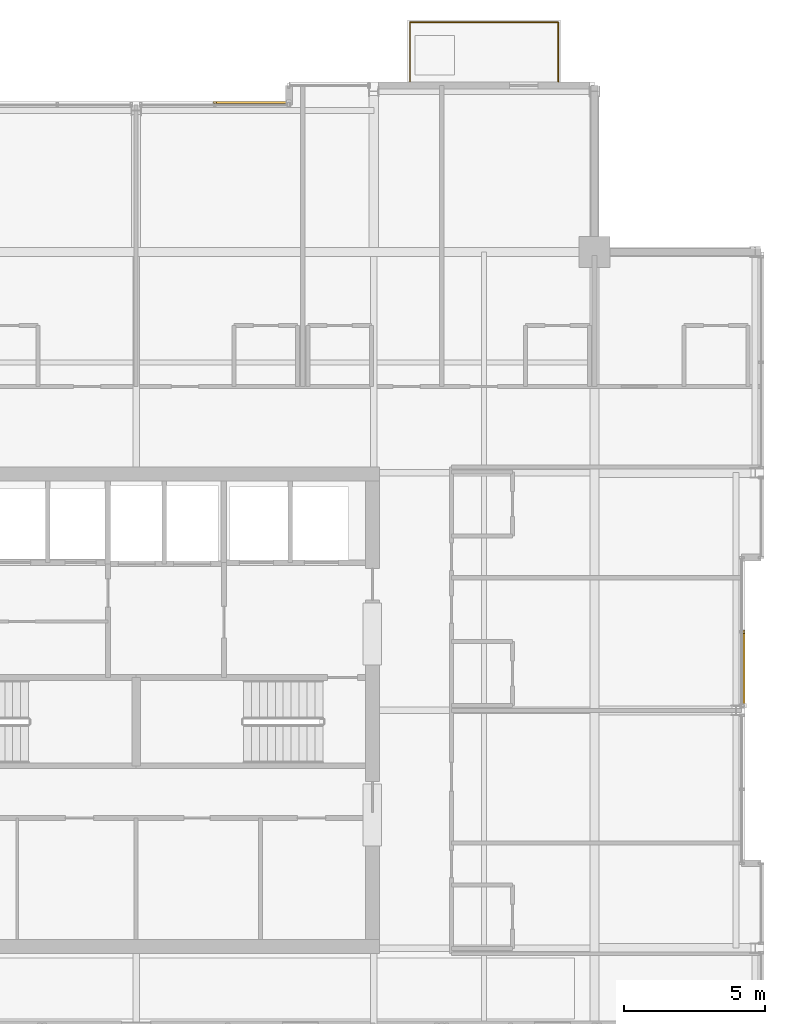
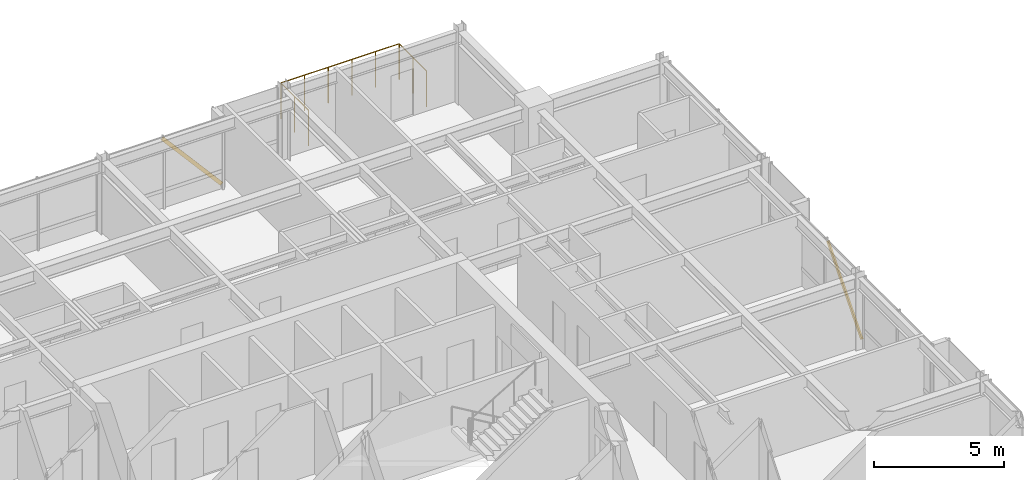
# One storey, part 34 of 34: 2 shading devices, 1 railing.
"""IFC4 building model written with IfcOpenShell, lengths in metres."""

from ifc_helpers import new_model, si_unit, direction, frame, origin, origin_2d, place, context, subcontext, project, spatial, hollow_rectangle, circle, extrude, material, material_profile, profile_set, type_object, element, save


model = new_model("IFC4")

# Units and contexts
model_context = context("Model", 3, precision=1e-05, world=origin(), true_north=direction((0.0, 1.0)))
body_context = subcontext(model_context, "Body", "Model", "MODEL_VIEW")
ifc_project = project(units=[si_unit("LENGTHUNIT", "METRE"), si_unit("AREAUNIT", "SQUARE_METRE"), si_unit("VOLUMEUNIT", "CUBIC_METRE"), si_unit("PLANEANGLEUNIT", "RADIAN"), si_unit("MASSUNIT", "GRAM", prefix="KILO")], contexts=[model_context])

# Site, building, storey
site_placement = place(None, origin())
site = spatial("IfcSite", under=ifc_project, at=site_placement, CompositionType="ELEMENT")
building_placement = place(site_placement, origin())
building = spatial("IfcBuilding", under=site, at=building_placement, Name="Drelvath Grand Hotel", CompositionType="ELEMENT")
storey_placement = place(building_placement, frame((0.0, 0.0, 272.300048828125)))
storey = spatial("IfcBuildingStorey", under=building, at=storey_placement, Name="L71", CompositionType="ELEMENT", Elevation=272.300048828125)

# Shading devices
ifc_material_1 = material(Name="Platinum-Mist Anodised Aluminium", Category="aluminium")
ifc_material_profile = material_profile(ifc_material_1, hollow_rectangle(XDim=0.06494140625, YDim=0.159912109375, WallThickness=0.00390625, at=origin_2d()), Name="HSS160X65X4")
ifc_profile_set = profile_set([ifc_material_profile], Name="Platinum-Mist Anodised Aluminium")
shading_device_type = type_object("IfcShadingDeviceType", Name="Diagonal Solar Fin Platinum Anodised HSS160X65X4", PredefinedType="USERDEFINED", material=ifc_profile_set)
shading_device_1_placement = place(storey_placement, frame((21.47998046875, 27.169921875, 0.179931640625), z_axis=(0.0, 0.653354613196, 0.757052012358), x_axis=(-1.0, 0.0, 0.0)))
element("IfcShadingDevice", 1, at=shading_device_1_placement, inside=storey, type_object=shading_device_type, Name="L71 Diagonal Anodised Fin CW05-L71-EM2", ObjectType="FIN", PredefinedType="USERDEFINED", context=body_context, shape_type="SweptSolid", body=[
    extrude(hollow_rectangle(XDim=0.06494140625, YDim=0.159912109375, WallThickness=0.00390625, at=origin_2d()), origin(), (0.0, 0.0, 1.0), 4.00244140625),
])
shading_device_2_placement = place(storey_placement, frame((5.39990234375, 48.47998046875, 0.179931640625), z_axis=(-0.65331965119, 0.0, 0.757082184026), x_axis=(0.0, -1.0, 0.0)))
element("IfcShadingDevice", 2, at=shading_device_2_placement, inside=storey, type_object=shading_device_type, Name="L71 Diagonal Anodised Fin CW05-L71-NM2", ObjectType="FIN", PredefinedType="USERDEFINED", context=body_context, shape_type="SweptSolid", body=[
    extrude(hollow_rectangle(XDim=0.06494140625, YDim=0.159912109375, WallThickness=0.00390625, at=origin_2d()), origin(), (0.0, 0.0, 1.0), 4.002197265625),
])

# Railing
ifc_material_2 = material(Name="Anodised Aluminium and Laminated Glass Balustrade", Category="aluminium")
railing_type = type_object("IfcRailingType", Name="Raised Planter Edge Balustrade 1700", PredefinedType="BALUSTRADE", material=ifc_material_2)
railing_placement = place(storey_placement, frame((9.679931640625, 49.219970703125, 0.0)))
element("IfcRailing", 3, at=railing_placement, inside=storey, type_object=railing_type, Name="L71 Tree Balcony Perimeter Balustrade 1", PredefinedType="BALUSTRADE", context=body_context, shape_type="SweptSolid", body=[
    extrude(circle(Radius=0.02392578125, at=origin_2d()), frame((0.0, 0.0, 1.67578125), z_axis=(0.0, 1.0, 0.0), x_axis=(-1.0, 0.0, 0.0)), (0.0, 0.0, 1.0), 2.10009765625),
    extrude(circle(Radius=0.02392578125, at=origin_2d()), frame((0.0, 2.10009765625, 1.67578125), z_axis=(1.0, 0.0, 0.0), x_axis=(0.0, 1.0, 0.0)), (0.0, 0.0, 1.0), 5.239990234375),
    extrude(circle(Radius=0.02392578125, at=origin_2d()), frame((5.239990234375, 2.10009765625, 1.67578125), z_axis=(0.0, -1.0, 0.0), x_axis=(1.0, 0.0, 0.0)), (0.0, 0.0, 1.0), 2.10009765625),
    extrude(circle(Radius=0.02099609375, at=origin_2d()), origin(), (0.0, 0.0, 1.0), 1.65185546875),
    extrude(circle(Radius=0.02099609375, at=origin_2d()), frame((0.0, 1.050048828125, 0.0)), (0.0, 0.0, 1.0), 1.65185546875),
    extrude(circle(Radius=0.02099609375, at=origin_2d()), frame((0.0, 2.10009765625, 0.0)), (0.0, 0.0, 1.0), 1.65185546875),
    extrude(circle(Radius=0.02099609375, at=origin_2d()), frame((1.048095703125, 2.10009765625, 0.0)), (0.0, 0.0, 1.0), 1.65185546875),
    extrude(circle(Radius=0.02099609375, at=origin_2d()), frame((2.095947265625, 2.10009765625, 0.0)), (0.0, 0.0, 1.0), 1.65185546875),
    extrude(circle(Radius=0.02099609375, at=origin_2d()), frame((3.14404296875, 2.10009765625, 0.0)), (0.0, 0.0, 1.0), 1.65185546875),
    extrude(circle(Radius=0.02099609375, at=origin_2d()), frame((4.19189453125, 2.10009765625, 0.0)), (0.0, 0.0, 1.0), 1.65185546875),
    extrude(circle(Radius=0.02099609375, at=origin_2d()), frame((5.239990234375, 2.10009765625, 0.0)), (0.0, 0.0, 1.0), 1.65185546875),
    extrude(circle(Radius=0.02099609375, at=origin_2d()), frame((5.239990234375, 1.050048828125, 0.0)), (0.0, 0.0, 1.0), 1.65185546875),
    extrude(circle(Radius=0.02099609375, at=origin_2d()), frame((5.239990234375, 0.0, 0.0)), (0.0, 0.0, 1.0), 1.65185546875),
])

save(model, "model.ifc")
